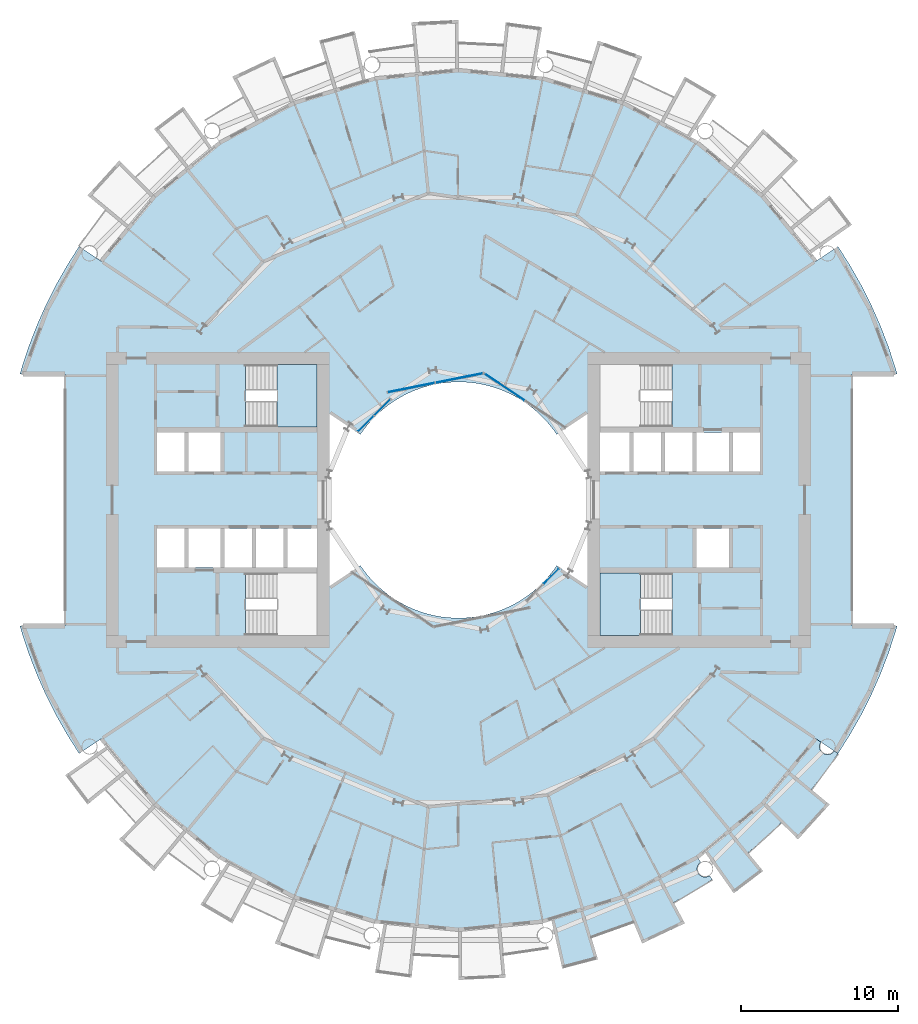
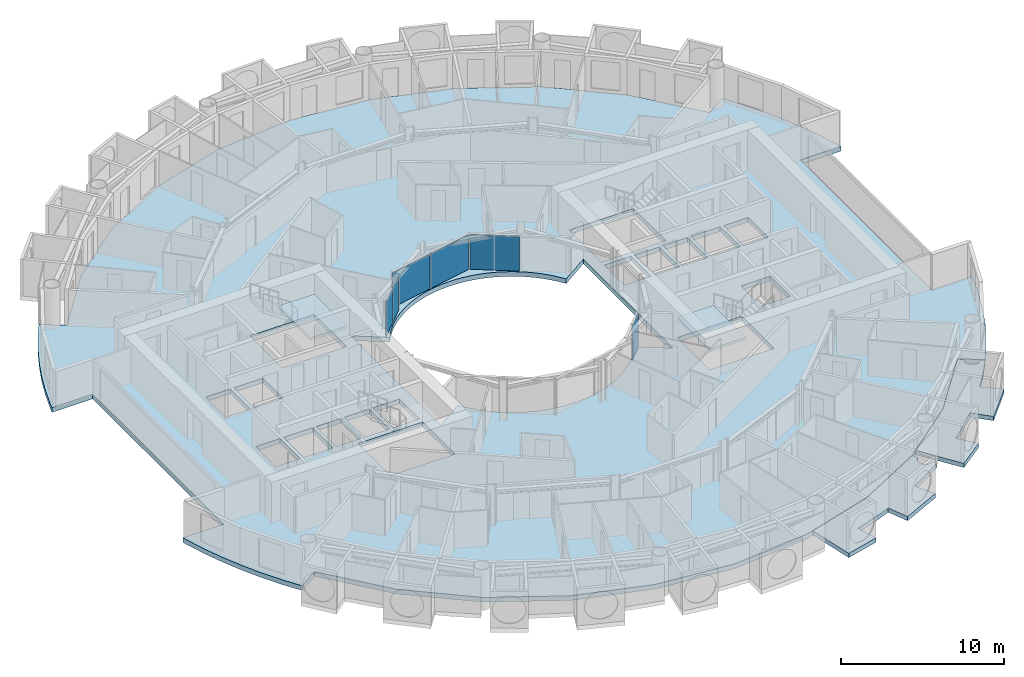
# One storey, part 10 of 26: 6 plates, 5 slabs, 6 elements without a shape of their own.
"""IFC4 building model written with IfcOpenShell, lengths in metres."""

from ifc_helpers import new_model, si_unit, direction, frame, origin, origin_2d, place, context, subcontext, project, spatial, polyline, rectangle, outline, extrude, material, layer, layer_set, type_object, element, aggregate, save


model = new_model("IFC4")

# Units and contexts
model_context = context("Model", 3, precision=1e-05, world=origin(), true_north=direction((0.0, 1.0)))
body_context = subcontext(model_context, "Body", "Model", "MODEL_VIEW")
ifc_project = project(units=[si_unit("LENGTHUNIT", "METRE"), si_unit("AREAUNIT", "SQUARE_METRE"), si_unit("VOLUMEUNIT", "CUBIC_METRE"), si_unit("PLANEANGLEUNIT", "RADIAN"), si_unit("MASSUNIT", "GRAM", prefix="KILO")], contexts=[model_context])

# Site, building, storey
site_placement = place(None, origin())
site = spatial("IfcSite", under=ifc_project, at=site_placement, CompositionType="ELEMENT")
building_placement = place(site_placement, origin())
building = spatial("IfcBuilding", under=site, at=building_placement, Name="Maasbend Ring Residences", CompositionType="ELEMENT")
storey_placement = place(building_placement, frame((0.0, 0.0, 47.199951171875)))
storey = spatial("IfcBuildingStorey", under=building, at=storey_placement, Name="L13", CompositionType="ELEMENT", Elevation=47.199951171875)

# Stair, slab
ifc_material_1 = material(Name="Concrete C40/50", Category="concrete")
stair_type = type_object("IfcStairType", Name="CORE STAIR 18 RISERS", PredefinedType="HALF_TURN_STAIR", material=ifc_material_1)
stair_1_placement = place(storey_placement, origin())
stair_1 = element("IfcStair", 1, at=stair_1_placement, inside=storey, type_object=stair_type, Name="L13 Exit stair ST-E2", PredefinedType="HALF_TURN_STAIR")
ifc_material_2 = material(Name="Concrete C40/50", Category="concrete")
ifc_layer_1 = layer(ifc_material_2, 0.199951171875)
ifc_layer_set_1 = layer_set([ifc_layer_1], Name="Concrete C40/50")
slab_type_1 = type_object("IfcSlabType", Name="CORE STAIR LANDING 200", PredefinedType="LANDING", material=ifc_layer_set_1)
slab_1_placement = place(storey_placement, frame((0.0, 0.0, 1.324951171875)))
slab_1 = element("IfcSlab", 2, at=slab_1_placement, type_object=slab_type_1, Name="ST-E2 landing 1", PredefinedType="LANDING", context=body_context, shape_type="SweptSolid", body=[
    extrude(outline(polyline([(11.550048828125, -4.64990234375), (9.0, -4.64990234375), (9.0, -8.60009765625), (11.550048828125, -8.60009765625), (11.550048828125, -4.64990234375)])), origin(), (0.0, 0.0, 1.0), 0.2001953125),
])
aggregate(stair_1, [slab_1])

stair_2_placement = place(storey_placement, origin())
stair_2 = element("IfcStair", 3, at=stair_2_placement, inside=storey, type_object=stair_type, Name="L13 Exit stair ST-W2", PredefinedType="HALF_TURN_STAIR")
slab_2_placement = place(storey_placement, frame((0.0, 0.0, 1.324951171875)))
slab_2 = element("IfcSlab", 4, at=slab_2_placement, type_object=slab_type_1, Name="ST-W2 landing 1", PredefinedType="LANDING", context=body_context, shape_type="SweptSolid", body=[
    extrude(outline(polyline([(-11.550048828125, 4.64990234375), (-9.0, 4.64990234375), (-9.0, 8.60009765625), (-11.550048828125, 8.60009765625), (-11.550048828125, 4.64990234375)])), origin(), (0.0, 0.0, 1.0), 0.2001953125),
])
aggregate(stair_2, [slab_2])

# Curtain wall, plate
ifc_material_3 = material(Name="Aluminium and clear glass", Category="aluminium")
ifc_layer_2 = layer(ifc_material_3, 0.179931640625)
ifc_layer_set_2 = layer_set([ifc_layer_2], Name="CW-W")
curtain_wall_type = type_object("IfcCurtainWallType", Name="CW-W", PredefinedType="NOTDEFINED", material=ifc_layer_set_2)
curtain_wall_1_placement = place(storey_placement, origin())
curtain_wall_1 = element("IfcCurtainWall", 5, at=curtain_wall_1_placement, inside=storey, type_object=curtain_wall_type, Name="Well curtain wall N1", PredefinedType="NOTDEFINED")
ifc_material_4 = material(Name="Glass clear laminated", Category="glass")
ifc_layer_3 = layer(ifc_material_4, 0.031982421875)
ifc_layer_set_3 = layer_set([ifc_layer_3], Name="CWP-W")
plate_type = type_object("IfcPlateType", Name="CWP-W", PredefinedType="CURTAIN_PANEL", material=ifc_layer_set_3)
plate_1_placement = place(storey_placement, frame((2.922119140625, 7.17578125, 0.0), z_axis=(0.0, 0.0, 1.0), x_axis=(-0.831469612303, 0.55557023302, 0.0)))
plate_1 = element("IfcPlate", 6, at=plate_1_placement, type_object=plate_type, Name="Glass panel well face", PredefinedType="CURTAIN_PANEL", context=body_context, shape_type="SweptSolid", body=[
    extrude(rectangle(XDim=3.053955078125, YDim=0.031982421875, at=origin_2d()), origin(), (0.0, 0.0, 1.0), 2.580078125),
])
aggregate(curtain_wall_1, [plate_1])

# Curtain wall, plates
curtain_wall_2_placement = place(storey_placement, origin())
curtain_wall_2 = element("IfcCurtainWall", 7, at=curtain_wall_2_placement, inside=storey, type_object=curtain_wall_type, Name="Well curtain wall N2", PredefinedType="NOTDEFINED")
plate_2_placement = place(storey_placement, frame((0.04638671875, 7.747802734375, 0.0), z_axis=(0.0, 0.0, 1.0), x_axis=(-0.980785280403, -0.195090322016, 0.0)))
plate_2 = element("IfcPlate", 8, at=plate_2_placement, type_object=plate_type, Name="Glass panel well face", PredefinedType="CURTAIN_PANEL", context=body_context, shape_type="SweptSolid", body=[
    extrude(rectangle(XDim=3.053955078125, YDim=0.031982421875, at=origin_2d()), origin(), (0.0, 0.0, 1.0), 2.580078125),
])
plate_3_placement = place(storey_placement, frame((-3.0078125, 7.140380859375, 0.0), z_axis=(0.0, 0.0, 1.0), x_axis=(-0.980785280403, -0.195090322016, 0.0)))
plate_3 = element("IfcPlate", 9, at=plate_3_placement, type_object=plate_type, Name="Glass panel well face", PredefinedType="CURTAIN_PANEL", context=body_context, shape_type="SweptSolid", body=[
    extrude(rectangle(XDim=3.053955078125, YDim=0.031982421875, at=origin_2d()), origin(), (0.0, 0.0, 1.0), 2.580078125),
])
aggregate(curtain_wall_2, [plate_2, plate_3])

curtain_wall_3_placement = place(storey_placement, origin())
curtain_wall_3 = element("IfcCurtainWall", 10, at=curtain_wall_3_placement, inside=storey, type_object=curtain_wall_type, Name="Well curtain wall N3", PredefinedType="NOTDEFINED")
plate_4_placement = place(storey_placement, frame((-4.84375, 5.89013671875, 0.0), z_axis=(0.0, 0.0, 1.0), x_axis=(-0.707106781187, -0.707106781187, 0.0)))
plate_4 = element("IfcPlate", 11, at=plate_4_placement, type_object=plate_type, Name="Glass panel well face", PredefinedType="CURTAIN_PANEL", context=body_context, shape_type="SweptSolid", body=[
    extrude(rectangle(XDim=1.419677734375, YDim=0.031982421875, at=origin_2d()), origin(), (0.0, 0.0, 1.0), 2.580078125),
])
plate_5_placement = place(storey_placement, frame((-5.89013671875, 4.84375, 0.0), z_axis=(0.0, 0.0, 1.0), x_axis=(-0.707106781187, -0.707106781187, 0.0)))
plate_5 = element("IfcPlate", 12, at=plate_5_placement, type_object=plate_type, Name="Glass panel well face", PredefinedType="CURTAIN_PANEL", context=body_context, shape_type="SweptSolid", body=[
    extrude(rectangle(XDim=1.419677734375, YDim=0.031982421875, at=origin_2d()), origin(), (0.0, 0.0, 1.0), 2.580078125),
])
aggregate(curtain_wall_3, [plate_4, plate_5])

# Curtain wall, plate
curtain_wall_4_placement = place(storey_placement, origin())
curtain_wall_4 = element("IfcCurtainWall", 13, at=curtain_wall_4_placement, inside=storey, type_object=curtain_wall_type, Name="Well curtain wall S3", PredefinedType="NOTDEFINED")
plate_6_placement = place(storey_placement, frame((5.89013671875, -4.84375, 0.0), z_axis=(0.0, 0.0, 1.0), x_axis=(0.707106781187, 0.707106781187, 0.0)))
plate_6 = element("IfcPlate", 14, at=plate_6_placement, type_object=plate_type, Name="Glass panel well face", PredefinedType="CURTAIN_PANEL", context=body_context, shape_type="SweptSolid", body=[
    extrude(rectangle(XDim=1.419677734375, YDim=0.031982421875, at=origin_2d()), origin(), (0.0, 0.0, 1.0), 2.580078125),
])
aggregate(curtain_wall_4, [plate_6])

# Slabs
ifc_material_5 = material(Name="Concrete C40/50", Category="concrete")
ifc_layer_4 = layer(ifc_material_5, 0.35009765625)
ifc_layer_set_4 = layer_set([ifc_layer_4], Name="Concrete C40/50")
slab_type_2 = type_object("IfcSlabType", Name="Post-tensioned flat plate 350", PredefinedType="FLOOR", material=ifc_layer_set_4)
slab_3_placement = place(storey_placement, frame((0.0, 0.0, -0.349853515625)))
element("IfcSlab", 15, at=slab_3_placement, inside=storey, type_object=slab_type_2, Name="Floor slab L13", PredefinedType="FLOOR", context=body_context, shape_type="SweptSolid", body=[
    extrude(outline(polyline([(24.8740234375, -14.908935546875), (25.57568359375, -13.67041015625), (26.2158203125, -12.399169921875), (26.79248046875, -11.097900390625), (27.3046875, -9.769775390625), (27.751220703125, -8.418212890625), (27.866943359375, -8.0), (25.0, -8.0), (25.0, 8.0), (27.866943359375, 8.0), (27.751220703125, 8.418212890625), (27.3046875, 9.769775390625), (26.79248046875, 11.097900390625), (26.2158203125, 12.399169921875), (25.57568359375, 13.67041015625), (24.8740234375, 14.908935546875), (24.112548828125, 16.111572265625), (22.69921875, 15.1669921875), (19.303955078125, 19.303955078125), (15.1669921875, 22.69921875), (10.447265625, 25.221923828125), (5.325927734375, 26.775390625), (0.0, 27.300048828125), (-5.325927734375, 26.775390625), (-10.447265625, 25.221923828125), (-15.1669921875, 22.69921875), (-19.303955078125, 19.303955078125), (-22.69921875, 15.1669921875), (-24.112548828125, 16.111572265625), (-24.8740234375, 14.908935546875), (-25.57568359375, 13.67041015625), (-26.2158203125, 12.399169921875), (-26.79248046875, 11.097900390625), (-27.3046875, 9.769775390625), (-27.751220703125, 8.418212890625), (-27.866943359375, 8.0), (-25.0, 8.0), (-25.0, -8.0), (-27.866943359375, -8.0), (-27.751220703125, -8.418212890625), (-27.3046875, -9.769775390625), (-26.79248046875, -11.097900390625), (-26.2158203125, -12.399169921875), (-25.57568359375, -13.67041015625), (-24.8740234375, -14.908935546875), (-24.112548828125, -16.111572265625), (-22.69921875, -15.1669921875), (-19.303955078125, -19.303955078125), (-15.1669921875, -22.69921875), (-10.447265625, -25.221923828125), (-5.325927734375, -26.775390625), (0.0, -27.300048828125), (5.325927734375, -26.775390625), (10.447265625, -25.221923828125), (15.1669921875, -22.69921875), (19.303955078125, -19.303955078125), (22.69921875, -15.1669921875), (24.112548828125, -16.111572265625), (24.8740234375, -14.908935546875)]), holes=[polyline([(17.425048828125, 4.27490234375), (19.14990234375, 4.27490234375), (19.14990234375, 1.824951171875), (17.425048828125, 1.824951171875), (17.425048828125, 4.27490234375)]), polyline([(15.125, 1.824951171875), (15.125, 4.27490234375), (17.175048828125, 4.27490234375), (17.175048828125, 1.824951171875), (15.125, 1.824951171875)]), polyline([(15.125, -4.27490234375), (15.125, -1.824951171875), (17.175048828125, -1.824951171875), (17.175048828125, -4.27490234375), (15.125, -4.27490234375)]), polyline([(13.125, 1.824951171875), (13.125, 4.27490234375), (14.875, 4.27490234375), (14.875, 1.824951171875), (13.125, 1.824951171875)]), polyline([(13.550048828125, 4.64990234375), (9.0, 4.64990234375), (9.0, 8.60009765625), (13.550048828125, 8.60009765625), (13.550048828125, 4.64990234375)]), polyline([(13.550048828125, -4.64990234375), (13.550048828125, -8.60009765625), (9.0, -8.60009765625), (9.0, -4.64990234375), (13.550048828125, -4.64990234375)]), polyline([(11.125, 1.824951171875), (11.125, 4.27490234375), (12.875, 4.27490234375), (12.875, 1.824951171875), (11.125, 1.824951171875)]), polyline([(9.0, 1.824951171875), (9.0, 4.27490234375), (10.875, 4.27490234375), (10.875, 1.824951171875), (9.0, 1.824951171875)]), polyline([(6.024169921875, 4.4677734375), (6.236083984375, 4.166748046875), (8.199951171875, 5.47900390625), (8.199951171875, -5.47900390625), (6.236083984375, -4.166748046875), (6.024169921875, -4.4677734375), (5.797607421875, -4.7578125), (5.55712890625, -5.03662109375), (5.30322265625, -5.30322265625), (5.03662109375, -5.55712890625), (4.7578125, -5.797607421875), (4.4677734375, -6.024169921875), (4.166748046875, -6.236083984375), (3.855712890625, -6.43310546875), (3.535400390625, -6.614501953125), (3.206787109375, -6.77978515625), (2.8701171875, -6.92919921875), (2.526611328125, -7.0615234375), (2.177001953125, -7.177001953125), (1.822509765625, -7.275146484375), (1.463134765625, -7.35595703125), (1.1005859375, -7.418701171875), (0.735107421875, -7.4638671875), (0.367919921875, -7.490966796875), (0.0, -7.5), (-0.367919921875, -7.490966796875), (-0.735107421875, -7.4638671875), (-1.1005859375, -7.418701171875), (-1.463134765625, -7.35595703125), (-1.822509765625, -7.275146484375), (-2.177001953125, -7.177001953125), (-2.526611328125, -7.0615234375), (-2.8701171875, -6.92919921875), (-3.206787109375, -6.77978515625), (-3.535400390625, -6.614501953125), (-3.855712890625, -6.43310546875), (-4.166748046875, -6.236083984375), (-4.4677734375, -6.024169921875), (-4.7578125, -5.797607421875), (-5.03662109375, -5.55712890625), (-5.30322265625, -5.30322265625), (-5.55712890625, -5.03662109375), (-5.797607421875, -4.7578125), (-6.024169921875, -4.4677734375), (-6.236083984375, -4.166748046875), (-8.199951171875, -5.47900390625), (-8.199951171875, 5.47900390625), (-6.236083984375, 4.166748046875), (-6.236083984375, 4.166748046875), (-6.024169921875, 4.4677734375), (-5.797607421875, 4.7578125), (-5.55712890625, 5.03662109375), (-5.30322265625, 5.30322265625), (-5.03662109375, 5.55712890625), (-4.7578125, 5.797607421875), (-4.4677734375, 6.024169921875), (-4.166748046875, 6.236083984375), (-3.855712890625, 6.43310546875), (-3.535400390625, 6.614501953125), (-3.206787109375, 6.77978515625), (-2.8701171875, 6.92919921875), (-2.526611328125, 7.0615234375), (-2.177001953125, 7.177001953125), (-1.822509765625, 7.275146484375), (-1.463134765625, 7.35595703125), (-1.1005859375, 7.418701171875), (-0.735107421875, 7.4638671875), (-0.367919921875, 7.490966796875), (0.0, 7.5), (0.367919921875, 7.490966796875), (0.735107421875, 7.4638671875), (1.1005859375, 7.418701171875), (1.463134765625, 7.35595703125), (1.822509765625, 7.275146484375), (2.177001953125, 7.177001953125), (2.526611328125, 7.0615234375), (2.8701171875, 6.92919921875), (3.206787109375, 6.77978515625), (3.535400390625, 6.614501953125), (3.855712890625, 6.43310546875), (4.166748046875, 6.236083984375), (4.4677734375, 6.024169921875), (4.7578125, 5.797607421875), (5.03662109375, 5.55712890625), (5.30322265625, 5.30322265625), (5.55712890625, 5.03662109375), (5.797607421875, 4.7578125), (6.024169921875, 4.4677734375)]), polyline([(-13.550048828125, 4.64990234375), (-13.550048828125, 8.60009765625), (-9.0, 8.60009765625), (-9.0, 4.64990234375), (-13.550048828125, 4.64990234375)]), polyline([(-13.550048828125, -8.60009765625), (-13.550048828125, -4.64990234375), (-9.0, -4.64990234375), (-9.0, -8.60009765625), (-13.550048828125, -8.60009765625)]), polyline([(-9.0, -1.824951171875), (-9.0, -4.27490234375), (-10.875, -4.27490234375), (-10.875, -1.824951171875), (-9.0, -1.824951171875)]), polyline([(-11.125, -1.824951171875), (-11.125, -4.27490234375), (-12.875, -4.27490234375), (-12.875, -1.824951171875), (-11.125, -1.824951171875)]), polyline([(-13.125, -1.824951171875), (-13.125, -4.27490234375), (-14.875, -4.27490234375), (-14.875, -1.824951171875), (-13.125, -1.824951171875)]), polyline([(-15.125, 4.27490234375), (-15.125, 1.824951171875), (-17.175048828125, 1.824951171875), (-17.175048828125, 4.27490234375), (-15.125, 4.27490234375)]), polyline([(-15.125, -1.824951171875), (-15.125, -4.27490234375), (-17.175048828125, -4.27490234375), (-17.175048828125, -1.824951171875), (-15.125, -1.824951171875)]), polyline([(-17.425048828125, -1.824951171875), (-17.425048828125, -4.27490234375), (-19.14990234375, -4.27490234375), (-19.14990234375, -1.824951171875), (-17.425048828125, -1.824951171875)]), polyline([(-17.425048828125, 4.27490234375), (-17.425048828125, 1.824951171875), (-19.14990234375, 1.824951171875), (-19.14990234375, 4.27490234375), (-17.425048828125, 4.27490234375)])]), origin(), (0.0, 0.0, 1.0), 0.349853515625),
])
ifc_material_6 = material(Name="Concrete C40/50", Category="concrete")
ifc_layer_5 = layer(ifc_material_6, 0.199951171875)
ifc_layer_set_5 = layer_set([ifc_layer_5], Name="Concrete C40/50")
slab_type_3 = type_object("IfcSlabType", Name="SL-LOGGIA", PredefinedType="FLOOR", material=ifc_layer_set_5)
slab_4_placement = place(storey_placement, frame((0.0, 0.0, -0.349853515625)))
element("IfcSlab", 16, at=slab_4_placement, inside=storey, type_object=slab_type_3, Name="Loggia floor 1", PredefinedType="FLOOR", context=body_context, shape_type="SweptSolid", body=[
    extrude(outline(polyline([(10.447021484375, -25.221923828125), (12.806884765625, -23.9609375), (15.1669921875, -22.698974609375), (15.1669921875, -22.698974609375), (15.1669921875, -22.698974609375), (15.385009765625, -23.02490234375), (15.375, -23.031982421875), (15.364013671875, -23.0390625), (15.35498046875, -23.047119140625), (15.344970703125, -23.054931640625), (15.3349609375, -23.06298828125), (15.325927734375, -23.071044921875), (15.31689453125, -23.0791015625), (15.30810546875, -23.087890625), (15.299072265625, -23.096923828125), (15.291015625, -23.10595703125), (15.281982421875, -23.115966796875), (15.27392578125, -23.125), (15.26708984375, -23.135009765625), (15.259033203125, -23.14501953125), (15.251953125, -23.155029296875), (15.2451171875, -23.1650390625), (15.238037109375, -23.176025390625), (15.23095703125, -23.18603515625), (15.22509765625, -23.197021484375), (15.218994140625, -23.2080078125), (15.212890625, -23.218994140625), (15.2080078125, -23.22998046875), (15.202880859375, -23.241943359375), (15.197998046875, -23.2529296875), (15.193115234375, -23.264892578125), (15.18896484375, -23.27587890625), (15.18505859375, -23.2880859375), (15.180908203125, -23.300048828125), (15.177978515625, -23.31201171875), (15.174072265625, -23.323974609375), (15.1708984375, -23.3359375), (15.1689453125, -23.347900390625), (15.1669921875, -23.361083984375), (15.1650390625, -23.373046875), (15.1630859375, -23.385009765625), (15.162109375, -23.39794921875), (15.159912109375, -23.409912109375), (15.159912109375, -23.422119140625), (15.158935546875, -23.43505859375), (15.158935546875, -23.447021484375), (15.158935546875, -23.4599609375), (15.159912109375, -23.471923828125), (15.159912109375, -23.485107421875), (15.162109375, -23.4970703125), (15.1630859375, -23.510009765625), (15.1650390625, -23.52197265625), (15.1669921875, -23.533935546875), (15.1689453125, -23.547119140625), (15.1708984375, -23.55908203125), (15.174072265625, -23.571044921875), (15.177978515625, -23.5830078125), (15.180908203125, -23.594970703125), (15.18505859375, -23.60693359375), (15.18896484375, -23.618896484375), (15.193115234375, -23.6298828125), (15.197998046875, -23.64208984375), (15.202880859375, -23.653076171875), (15.2080078125, -23.6650390625), (15.212890625, -23.676025390625), (15.218994140625, -23.68701171875), (15.22509765625, -23.697998046875), (15.23095703125, -23.708984375), (15.238037109375, -23.718994140625), (15.2451171875, -23.72998046875), (15.251953125, -23.739990234375), (15.259033203125, -23.75), (15.26708984375, -23.760009765625), (15.27392578125, -23.77001953125), (15.281982421875, -23.779052734375), (15.291015625, -23.7890625), (15.299072265625, -23.798095703125), (15.30810546875, -23.806884765625), (15.31689453125, -23.81494140625), (15.325927734375, -23.823974609375), (15.3349609375, -23.83203125), (15.344970703125, -23.840087890625), (15.35498046875, -23.847900390625), (15.364013671875, -23.85498046875), (15.375, -23.863037109375), (15.385009765625, -23.8701171875), (15.39501953125, -23.876953125), (15.406005859375, -23.883056640625), (15.4169921875, -23.888916015625), (15.427978515625, -23.89501953125), (15.43896484375, -23.90087890625), (15.449951171875, -23.906982421875), (15.4609375, -23.912109375), (15.472900390625, -23.9169921875), (15.48388671875, -23.9208984375), (15.49609375, -23.926025390625), (15.508056640625, -23.929931640625), (15.52001953125, -23.93408203125), (15.531982421875, -23.93701171875), (15.5439453125, -23.93994140625), (15.555908203125, -23.943115234375), (15.568115234375, -23.946044921875), (15.580078125, -23.947998046875), (15.593017578125, -23.949951171875), (15.60498046875, -23.951904296875), (15.616943359375, -23.952880859375), (15.6298828125, -23.9541015625), (15.64208984375, -23.955078125), (15.655029296875, -23.955078125), (15.6669921875, -23.955078125), (15.679931640625, -23.955078125), (15.69189453125, -23.955078125), (15.7041015625, -23.9541015625), (15.717041015625, -23.952880859375), (15.72900390625, -23.951904296875), (15.741943359375, -23.949951171875), (15.75390625, -23.947998046875), (15.76611328125, -23.946044921875), (15.778076171875, -23.943115234375), (15.791015625, -23.93994140625), (15.802978515625, -23.93701171875), (15.81494140625, -23.93408203125), (15.825927734375, -23.929931640625), (15.837890625, -23.926025390625), (15.85009765625, -23.9208984375), (15.862060546875, -23.9169921875), (15.873046875, -23.912109375), (15.884033203125, -23.906982421875), (15.89599609375, -23.90087890625), (15.906982421875, -23.89501953125), (15.9169921875, -23.888916015625), (15.927978515625, -23.883056640625), (15.93896484375, -23.876953125), (15.948974609375, -23.8701171875), (16.112060546875, -24.113037109375), (16.112060546875, -24.113037109375), (16.112060546875, -24.113037109375), (15.31396484375, -24.626953125), (15.31396484375, -24.626953125), (14.5, -25.114990234375), (14.5, -25.114990234375), (13.6708984375, -25.574951171875), (13.6708984375, -25.575927734375), (13.6708984375, -25.575927734375), (13.6708984375, -25.575927734375), (13.6708984375, -25.575927734375), (13.6708984375, -25.575927734375), (13.6708984375, -25.575927734375), (13.6708984375, -25.575927734375), (13.6708984375, -25.575927734375), (13.6708984375, -25.575927734375), (13.6708984375, -25.575927734375), (13.6708984375, -25.575927734375), (13.6708984375, -25.575927734375), (13.6708984375, -25.575927734375), (13.6708984375, -25.575927734375), (13.6708984375, -25.575927734375), (13.6708984375, -25.575927734375), (14.3779296875, -26.89892578125), (14.3779296875, -26.89892578125), (14.3779296875, -26.89892578125), (11.672119140625, -28.177978515625), (11.672119140625, -28.177978515625), (11.672119140625, -28.177978515625), (11.097900390625, -26.79296875), (11.097900390625, -26.79296875), (11.097900390625, -26.79296875), (11.097900390625, -26.79296875), (11.097900390625, -26.79296875), (11.097900390625, -26.79296875), (11.097900390625, -26.79296875), (11.097900390625, -26.79296875), (11.097900390625, -26.79296875), (11.097900390625, -26.79296875), (11.097900390625, -26.79296875), (11.097900390625, -26.79296875), (11.097900390625, -26.79296875), (11.097900390625, -26.79296875), (11.096923828125, -26.79296875), (11.096923828125, -26.79296875), (11.096923828125, -26.79296875), (10.215087890625, -27.14111328125), (10.215087890625, -27.14111328125), (9.322021484375, -27.4609375), (9.322021484375, -27.4609375), (8.4189453125, -27.7509765625), (8.4189453125, -27.7509765625), (8.4189453125, -27.7509765625), (8.4189453125, -27.7509765625), (8.4189453125, -27.7509765625), (8.4189453125, -27.7509765625), (8.41796875, -27.7509765625), (8.41796875, -27.7509765625), (8.41796875, -27.7509765625), (8.41796875, -27.7509765625), (8.41796875, -27.7509765625), (8.41796875, -27.751953125), (8.41796875, -27.751953125), (8.41796875, -27.751953125), (8.41796875, -27.751953125), (8.41796875, -27.751953125), (8.41796875, -27.751953125), (8.85400390625, -29.18701171875), (8.85400390625, -29.18701171875), (8.85400390625, -29.18701171875), (6.593994140625, -29.779052734375), (6.593994140625, -29.779052734375), (6.593994140625, -29.779052734375), (5.89111328125, -26.60400390625), (5.89111328125, -26.60400390625), (5.89111328125, -26.60400390625), (7.886962890625, -25.9990234375), (10.447021484375, -25.221923828125), (10.447021484375, -25.221923828125), (10.447021484375, -25.221923828125)])), origin(), (0.0, 0.0, 1.0), 0.31982421875),
])
slab_5_placement = place(storey_placement, frame((0.0, 0.0, -0.349853515625)))
element("IfcSlab", 17, at=slab_5_placement, inside=storey, type_object=slab_type_3, Name="Loggia floor 4", PredefinedType="FLOOR", context=body_context, shape_type="SweptSolid", body=[
    extrude(outline(polyline([(19.303955078125, -19.303955078125), (21.001953125, -17.236083984375), (22.698974609375, -15.1669921875), (22.698974609375, -15.1669921875), (22.698974609375, -15.1669921875), (23.02490234375, -15.385009765625), (23.02490234375, -15.385009765625), (23.01806640625, -15.39501953125), (23.011962890625, -15.406005859375), (23.0048828125, -15.4169921875), (22.9990234375, -15.427978515625), (22.993896484375, -15.43896484375), (22.988037109375, -15.449951171875), (22.98291015625, -15.4609375), (22.97802734375, -15.472900390625), (22.972900390625, -15.48388671875), (22.968994140625, -15.49609375), (22.965087890625, -15.508056640625), (22.9609375, -15.52001953125), (22.9580078125, -15.531982421875), (22.955078125, -15.5439453125), (22.951904296875, -15.555908203125), (22.948974609375, -15.568115234375), (22.947021484375, -15.580078125), (22.945068359375, -15.593017578125), (22.943115234375, -15.60498046875), (22.94189453125, -15.616943359375), (22.94091796875, -15.6298828125), (22.93994140625, -15.64208984375), (22.93994140625, -15.655029296875), (22.93896484375, -15.6669921875), (22.93994140625, -15.679931640625), (22.93994140625, -15.69189453125), (22.94091796875, -15.7041015625), (22.94189453125, -15.717041015625), (22.943115234375, -15.72900390625), (22.945068359375, -15.741943359375), (22.947021484375, -15.75390625), (22.948974609375, -15.76611328125), (22.951904296875, -15.778076171875), (22.955078125, -15.791015625), (22.9580078125, -15.802978515625), (22.9609375, -15.81494140625), (22.965087890625, -15.825927734375), (22.968994140625, -15.837890625), (22.972900390625, -15.85009765625), (22.97802734375, -15.862060546875), (22.98291015625, -15.873046875), (22.988037109375, -15.884033203125), (22.993896484375, -15.89599609375), (22.9990234375, -15.906982421875), (23.0048828125, -15.9169921875), (23.011962890625, -15.927978515625), (23.01806640625, -15.93896484375), (23.02490234375, -15.948974609375), (23.031982421875, -15.9599609375), (23.0390625, -15.969970703125), (23.047119140625, -15.97998046875), (23.054931640625, -15.989013671875), (23.06298828125, -15.9990234375), (23.071044921875, -16.008056640625), (23.0791015625, -16.01708984375), (23.087890625, -16.02587890625), (23.096923828125, -16.034912109375), (23.10595703125, -16.0439453125), (23.115966796875, -16.052001953125), (23.125, -16.06005859375), (23.135009765625, -16.068115234375), (23.14501953125, -16.074951171875), (23.155029296875, -16.08203125), (23.1650390625, -16.089111328125), (23.176025390625, -16.095947265625), (23.18603515625, -16.10302734375), (23.197021484375, -16.10888671875), (23.2080078125, -16.114990234375), (23.218994140625, -16.12109375), (23.22998046875, -16.1259765625), (23.241943359375, -16.132080078125), (23.2529296875, -16.135986328125), (23.264892578125, -16.14111328125), (23.27587890625, -16.14501953125), (23.2880859375, -16.14892578125), (23.300048828125, -16.153076171875), (23.31201171875, -16.156982421875), (23.323974609375, -16.159912109375), (23.3359375, -16.1630859375), (23.347900390625, -16.1650390625), (23.361083984375, -16.16796875), (23.373046875, -16.169921875), (23.385009765625, -16.1708984375), (23.39794921875, -16.173095703125), (23.409912109375, -16.174072265625), (23.422119140625, -16.174072265625), (23.43505859375, -16.175048828125), (23.447021484375, -16.175048828125), (23.4599609375, -16.175048828125), (23.471923828125, -16.174072265625), (23.485107421875, -16.174072265625), (23.4970703125, -16.173095703125), (23.510009765625, -16.1708984375), (23.52197265625, -16.169921875), (23.533935546875, -16.16796875), (23.547119140625, -16.1650390625), (23.55908203125, -16.1630859375), (23.571044921875, -16.159912109375), (23.5830078125, -16.156982421875), (23.594970703125, -16.153076171875), (23.60693359375, -16.14892578125), (23.618896484375, -16.14501953125), (23.6298828125, -16.14111328125), (23.64208984375, -16.135986328125), (23.653076171875, -16.132080078125), (23.6650390625, -16.1259765625), (23.676025390625, -16.12109375), (23.68701171875, -16.114990234375), (23.697998046875, -16.10888671875), (23.708984375, -16.10302734375), (23.718994140625, -16.095947265625), (23.72998046875, -16.089111328125), (23.739990234375, -16.08203125), (23.75, -16.074951171875), (23.760009765625, -16.068115234375), (23.77001953125, -16.06005859375), (23.779052734375, -16.052001953125), (23.7890625, -16.0439453125), (23.798095703125, -16.034912109375), (23.806884765625, -16.02587890625), (23.81494140625, -16.01708984375), (23.823974609375, -16.008056640625), (23.83203125, -15.9990234375), (23.840087890625, -15.989013671875), (23.847900390625, -15.97998046875), (23.85498046875, -15.969970703125), (23.863037109375, -15.9599609375), (23.8701171875, -15.948974609375), (23.8701171875, -15.948974609375), (24.113037109375, -16.112060546875), (24.113037109375, -16.112060546875), (24.113037109375, -16.112060546875), (23.572998046875, -16.89208984375), (23.572998046875, -16.89208984375), (23.007080078125, -17.654052734375), (23.007080078125, -17.654052734375), (22.41796875, -18.39697265625), (22.41796875, -18.39697265625), (22.41796875, -18.39697265625), (22.41796875, -18.39697265625), (22.41796875, -18.39697265625), (22.41796875, -18.39697265625), (22.41796875, -18.39697265625), (22.41796875, -18.39697265625), (22.41796875, -18.39697265625), (22.41796875, -18.39697265625), (22.41796875, -18.39697265625), (22.41796875, -18.39794921875), (22.41796875, -18.39794921875), (22.41796875, -18.39794921875), (22.41796875, -18.39794921875), (22.41796875, -18.39794921875), (22.41796875, -18.39794921875), (23.576904296875, -19.34912109375), (23.576904296875, -19.34912109375), (23.576904296875, -19.34912109375), (21.56689453125, -21.56689453125), (21.56689453125, -21.56689453125), (21.56689453125, -21.56689453125), (20.506103515625, -20.506103515625), (20.506103515625, -20.506103515625), (20.506103515625, -20.506103515625), (20.506103515625, -20.506103515625), (20.506103515625, -20.506103515625), (20.506103515625, -20.506103515625), (20.506103515625, -20.506103515625), (20.506103515625, -20.506103515625), (20.506103515625, -20.506103515625), (20.506103515625, -20.506103515625), (20.506103515625, -20.506103515625), (20.506103515625, -20.506103515625), (20.506103515625, -20.506103515625), (20.506103515625, -20.506103515625), (20.506103515625, -20.506103515625), (20.506103515625, -20.506103515625), (20.506103515625, -20.506103515625), (19.823974609375, -21.166015625), (19.823974609375, -21.166015625), (19.12109375, -21.802978515625), (19.12109375, -21.802978515625), (18.39794921875, -22.4169921875), (18.39794921875, -22.4169921875), (18.39794921875, -22.4169921875), (18.39794921875, -22.4169921875), (18.39794921875, -22.4169921875), (18.39794921875, -22.4169921875), (18.39794921875, -22.4169921875), (18.39794921875, -22.4169921875), (18.39794921875, -22.4169921875), (18.39794921875, -22.4169921875), (18.39794921875, -22.4169921875), (18.39794921875, -22.4169921875), (18.39794921875, -22.41796875), (18.39794921875, -22.41796875), (18.39794921875, -22.41796875), (18.39794921875, -22.41796875), (18.39794921875, -22.41796875), (19.34912109375, -23.576904296875), (19.34912109375, -23.576904296875), (19.34912109375, -23.576904296875), (17.488037109375, -24.989013671875), (17.488037109375, -24.989013671875), (17.488037109375, -24.989013671875), (15.623046875, -22.324951171875), (15.623046875, -22.324951171875), (15.623046875, -22.324951171875), (17.236083984375, -21.001953125), (19.303955078125, -19.303955078125), (19.303955078125, -19.303955078125), (19.303955078125, -19.303955078125)])), origin(), (0.0, 0.0, 1.0), 0.31982421875),
])

save(model, "model.ifc")
